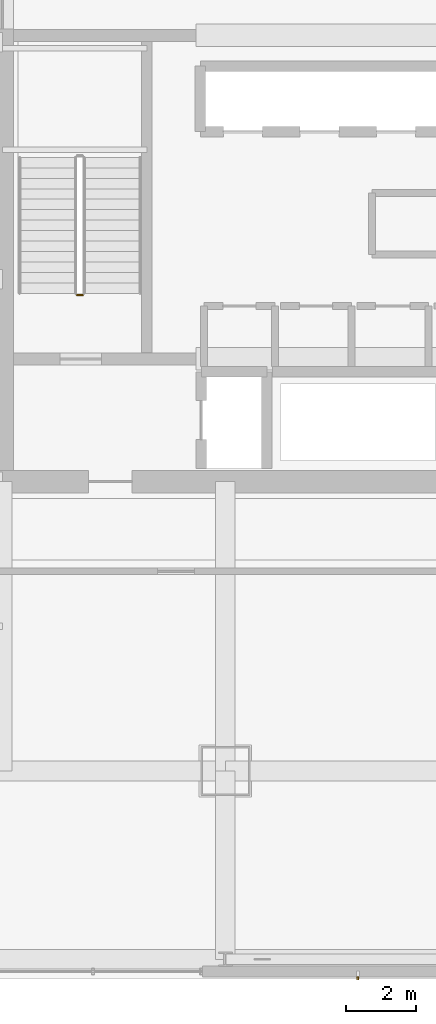
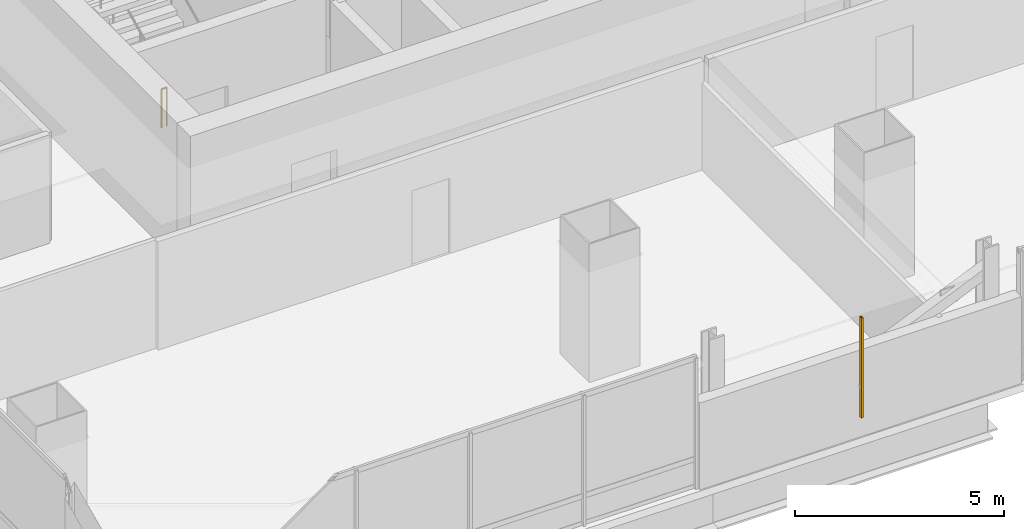
# One storey, part 35 of 41: 1 railing, 1 shading device.
"""IFC4 building model written with IfcOpenShell, lengths in metres."""

from ifc_helpers import new_model, si_unit, direction, frame, origin, origin_2d, place, context, subcontext, project, spatial, hollow_rectangle, circle, extrude, material, material_profile, profile_set, type_object, element, save


model = new_model("IFC4")

# Units and contexts
model_context = context("Model", 3, precision=1e-05, world=origin(), true_north=direction((0.0, 1.0)))
body_context = subcontext(model_context, "Body", "Model", "MODEL_VIEW")
ifc_project = project(units=[si_unit("LENGTHUNIT", "METRE"), si_unit("AREAUNIT", "SQUARE_METRE"), si_unit("VOLUMEUNIT", "CUBIC_METRE"), si_unit("PLANEANGLEUNIT", "RADIAN"), si_unit("MASSUNIT", "GRAM", prefix="KILO")], contexts=[model_context])

# Site, building, storey
site_placement = place(None, origin())
site = spatial("IfcSite", under=ifc_project, at=site_placement, CompositionType="ELEMENT")
building_placement = place(site_placement, origin())
building = spatial("IfcBuilding", under=site, at=building_placement, Name="Punatoya Terracotta Tower", CompositionType="ELEMENT")
storey_placement = place(building_placement, frame((0.0, 0.0, 220.800048828125)))
storey = spatial("IfcBuildingStorey", under=building, at=storey_placement, Name="L52", CompositionType="ELEMENT", Elevation=220.800048828125)

# Railing
ifc_material_1 = material(Name="Steel S355", Category="steel")
railing_type = type_object("IfcRailingType", Name="RLG-GRD-1150", PredefinedType="GUARDRAIL", material=ifc_material_1)
railing_placement = place(storey_placement, frame((-7.89990234375, -3.85009765625, 0.0)))
element("IfcRailing", 1, at=railing_placement, inside=storey, type_object=railing_type, Name="L52 ST-1 stair guard 4", PredefinedType="GUARDRAIL", context=body_context, shape_type="SweptSolid", body=[
    extrude(circle(Radius=0.02392578125, at=origin_2d()), frame((0.0, 0.0, 1.1259765625), z_axis=(-1.0, 0.0, 0.0), x_axis=(0.0, -1.0, 0.0)), (0.0, 0.0, 1.0), 0.150146484375),
    extrude(circle(Radius=0.02099609375, at=origin_2d()), origin(), (0.0, 0.0, 1.0), 1.101806640625),
    extrude(circle(Radius=0.02099609375, at=origin_2d()), frame((-0.150146484375, 0.0, 0.0)), (0.0, 0.0, 1.0), 1.101806640625),
])

# Shading device
ifc_material_2 = material(Name="Architectural Fired Terracotta", Category="masonry")
ifc_material_profile = material_profile(ifc_material_2, hollow_rectangle(XDim=0.06005859375, YDim=0.090087890625, WallThickness=0.013916015625, at=origin_2d()))
ifc_profile_set = profile_set([ifc_material_profile], Name="Architectural Fired Terracotta")
shading_device_type = type_object("IfcShadingDeviceType", Name="SHD-JALI-90", PredefinedType="JALOUSIE", material=ifc_profile_set)
shading_device_placement = place(storey_placement, frame((0.0, -23.449951171875, 0.599853515625), z_axis=(0.0, 0.0, 1.0), x_axis=(1.0, 0.0, 0.0)))
element("IfcShadingDevice", 2, at=shading_device_placement, inside=storey, type_object=shading_device_type, Name="L52 Braced Bay Terracotta Jali Fin S1", PredefinedType="JALOUSIE", context=body_context, shape_type="SweptSolid", body=[
    extrude(hollow_rectangle(XDim=0.06005859375, YDim=0.090087890625, WallThickness=0.013916015625, at=origin_2d()), origin(), (0.0, 0.0, 1.0), 2.93017578125),
])

save(model, "model.ifc")
